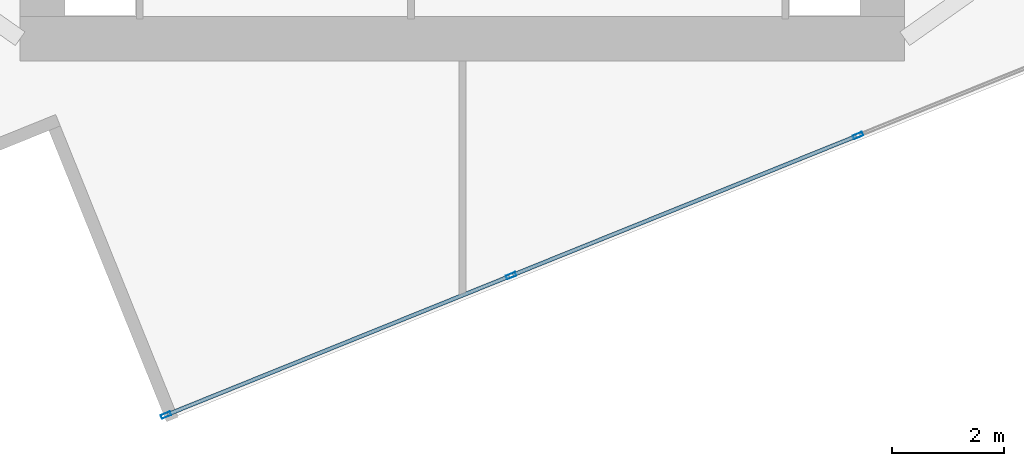
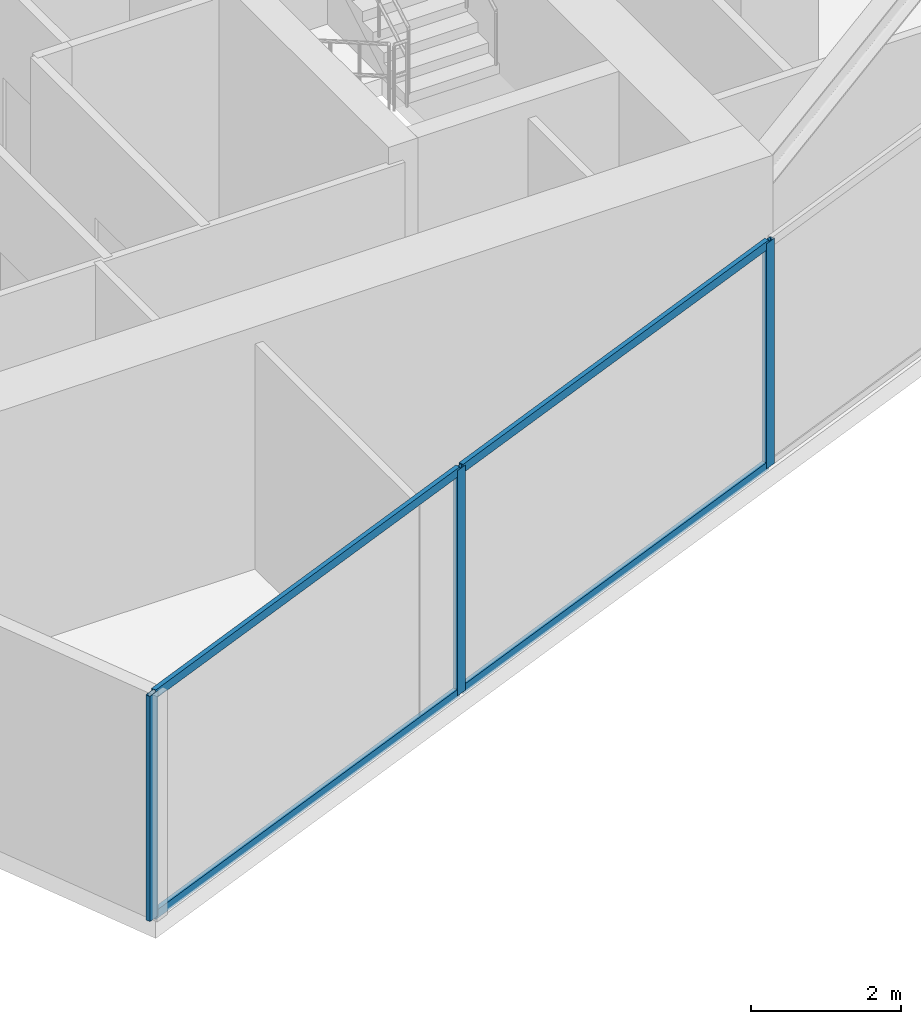
# One storey, part 3 of 21: 7 members, 1 element without a shape of its own.
"""IFC4 building model written with IfcOpenShell, lengths in metres."""

from ifc_helpers import new_model, si_unit, direction, frame, origin, origin_2d, place, context, subcontext, project, spatial, hollow_rectangle, extrude, source, transform, mapped, material, material_profile, profile_set, type_object, type_shapes, element, aggregate, save


model = new_model("IFC4")

# Units and contexts
model_context = context("Model", 3, precision=1e-05, world=origin(), true_north=direction((0.0, 1.0)))
body_context = subcontext(model_context, "Body", "Model", "MODEL_VIEW")
ifc_project = project(units=[si_unit("LENGTHUNIT", "METRE"), si_unit("AREAUNIT", "SQUARE_METRE"), si_unit("VOLUMEUNIT", "CUBIC_METRE"), si_unit("PLANEANGLEUNIT", "RADIAN"), si_unit("MASSUNIT", "GRAM", prefix="KILO")], contexts=[model_context])

# Site, building, storey
site_placement = place(None, origin())
site = spatial("IfcSite", under=ifc_project, at=site_placement, CompositionType="ELEMENT")
building_placement = place(site_placement, origin())
building = spatial("IfcBuilding", under=site, at=building_placement, Name="Krantzveldt Concourse Tower", CompositionType="ELEMENT")
storey_placement = place(building_placement, frame((0.0, 0.0, 323.75)))
storey = spatial("IfcBuildingStorey", under=building, at=storey_placement, Name="L79", CompositionType="ELEMENT", Elevation=323.75)

# Curtain wall, members
ifc_material = material(Name="Anodised aluminium 6063-T6", Category="aluminium")
curtain_wall_type = type_object("IfcCurtainWallType", Name="CW4", PredefinedType="USERDEFINED", material=ifc_material)
curtain_wall_placement = place(storey_placement, origin())
curtain_wall = element("IfcCurtainWall", 1, at=curtain_wall_placement, inside=storey, type_object=curtain_wall_type, Name="CW-L79-F07", ObjectType="UNITISED CURTAIN WALL", PredefinedType="USERDEFINED")
ifc_material_profile_1 = material_profile(ifc_material, hollow_rectangle(XDim=0.070068359375, YDim=0.179931640625, WallThickness=0.0048828125, at=origin_2d()), Name="Anodised aluminium 6063-T6", Category="aluminium")
ifc_profile_set_1 = profile_set([ifc_material_profile_1], Name="Anodised aluminium 6063-T6 - ALU-MULL 180x70x5")
member_type_1 = type_object("IfcMemberType", Name="CW-MUL-180", PredefinedType="MULLION", material=ifc_profile_set_1)
shared_shape_1 = source(origin(), body_context, "Body", "SweptSolid", [
    extrude(hollow_rectangle(XDim=0.070068359375, YDim=0.179931640625, WallThickness=0.0048828125, at=origin_2d()), origin(), (0.0, 0.0, 1.0), 3.669921875),
])
type_shapes(member_type_1, [shared_shape_1])
member_1_placement = place(storey_placement, frame((30.69189453125, 4.160400390625, 0.0), z_axis=(0.0, 0.0, 1.0), x_axis=(-0.374606664198, 0.927183825969, 0.0)))
member_1 = element("IfcMember", 2, at=member_1_placement, type_object=member_type_1, Name="CW-Z56 mullion 1", PredefinedType="MULLION", context=body_context, shape_type="MappedRepresentation", body=[
    mapped(shared_shape_1, transform((0.0, 0.0, 0.0), x_axis=(1.0, 0.0, 0.0), y_axis=(0.0, 1.0, 0.0), z_axis=(0.0, 0.0, 1.0), scale=1.0)),
])
member_2_placement = place(storey_placement, frame((36.87158203125, 6.656982421875, 0.0), z_axis=(0.0, 0.0, 1.0), x_axis=(-0.374606664198, 0.927183825969, 0.0)))
member_2 = element("IfcMember", 3, at=member_2_placement, type_object=member_type_1, Name="CW-Z56 mullion 2", PredefinedType="MULLION", context=body_context, shape_type="MappedRepresentation", body=[
    mapped(shared_shape_1, transform((0.0, 0.0, 0.0), x_axis=(1.0, 0.0, 0.0), y_axis=(0.0, 1.0, 0.0), z_axis=(0.0, 0.0, 1.0), scale=1.0)),
])
member_3_placement = place(storey_placement, frame((43.083740234375, 9.1669921875, 0.0), z_axis=(0.0, 0.0, 1.0), x_axis=(-0.374606664198, 0.927183825969, 0.0)))
member_3 = element("IfcMember", 4, at=member_3_placement, type_object=member_type_1, Name="CW-Z56 mullion 3", PredefinedType="MULLION", context=body_context, shape_type="MappedRepresentation", body=[
    mapped(shared_shape_1, transform((0.0, 0.0, 0.0), x_axis=(1.0, 0.0, 0.0), y_axis=(0.0, 1.0, 0.0), z_axis=(0.0, 0.0, 1.0), scale=1.0)),
])
ifc_material_profile_2 = material_profile(ifc_material, hollow_rectangle(XDim=0.070068359375, YDim=0.139892578125, WallThickness=0.0048828125, at=origin_2d()), Name="Anodised aluminium 6063-T6", Category="aluminium")
ifc_profile_set_2 = profile_set([ifc_material_profile_2], Name="Anodised aluminium 6063-T6 - ALU-TRAN 140x70x5")
member_type_2 = type_object("IfcMemberType", Name="CW-TRN-150", PredefinedType="USERDEFINED", material=ifc_profile_set_2)
shared_shape_2 = source(origin(), body_context, "Body", "SweptSolid", [
    extrude(hollow_rectangle(XDim=0.070068359375, YDim=0.139892578125, WallThickness=0.0048828125, at=origin_2d()), origin(), (0.0, 0.0, 1.0), 6.594970703125),
])
member_4_placement = place(storey_placement, frame((30.724365234375, 4.17333984375, 0.034912109375), z_axis=(0.927174093338, 0.374630752399, 0.0), x_axis=(-0.374630752399, 0.927174093338, 0.0)))
member_4 = element("IfcMember", 5, at=member_4_placement, type_object=member_type_2, Name="CW-Z56 transom 1.1", ObjectType="TRANSOM", PredefinedType="USERDEFINED", context=body_context, shape_type="MappedRepresentation", body=[
    mapped(shared_shape_2, transform((0.0, 0.0, 0.0), x_axis=(1.0, 0.0, 0.0), y_axis=(0.0, 1.0, 0.0), z_axis=(0.0, 0.0, 1.0), scale=1.0)),
])
member_5_placement = place(storey_placement, frame((30.724365234375, 4.17333984375, 3.635009765625), z_axis=(0.927174093338, 0.374630752399, 0.0), x_axis=(-0.374630752399, 0.927174093338, 0.0)))
member_5 = element("IfcMember", 6, at=member_5_placement, type_object=member_type_2, Name="CW-Z56 transom 1.2", ObjectType="TRANSOM", PredefinedType="USERDEFINED", context=body_context, shape_type="MappedRepresentation", body=[
    mapped(shared_shape_2, transform((0.0, 0.0, 0.0), x_axis=(1.0, 0.0, 0.0), y_axis=(0.0, 1.0, 0.0), z_axis=(0.0, 0.0, 1.0), scale=1.0)),
])
shared_shape_3 = source(origin(), body_context, "Body", "SweptSolid", [
    extrude(hollow_rectangle(XDim=0.070068359375, YDim=0.139892578125, WallThickness=0.0048828125, at=origin_2d()), origin(), (0.0, 0.0, 1.0), 6.6298828125),
])
type_shapes(member_type_2, [shared_shape_2, shared_shape_3])
member_6_placement = place(storey_placement, frame((36.904052734375, 6.670166015625, 0.034912109375), z_axis=(0.92718355196, 0.374607342392, 0.0), x_axis=(-0.374607342392, 0.92718355196, 0.0)))
member_6 = element("IfcMember", 7, at=member_6_placement, type_object=member_type_2, Name="CW-Z56 transom 2.1", ObjectType="TRANSOM", PredefinedType="USERDEFINED", context=body_context, shape_type="MappedRepresentation", body=[
    mapped(shared_shape_3, transform((0.0, 0.0, 0.0), x_axis=(1.0, 0.0, 0.0), y_axis=(0.0, 1.0, 0.0), z_axis=(0.0, 0.0, 1.0), scale=1.0)),
])
member_7_placement = place(storey_placement, frame((36.904052734375, 6.670166015625, 3.635009765625), z_axis=(0.92718355196, 0.374607342392, 0.0), x_axis=(-0.374607342392, 0.92718355196, 0.0)))
member_7 = element("IfcMember", 8, at=member_7_placement, type_object=member_type_2, Name="CW-Z56 transom 2.2", ObjectType="TRANSOM", PredefinedType="USERDEFINED", context=body_context, shape_type="MappedRepresentation", body=[
    mapped(shared_shape_3, transform((0.0, 0.0, 0.0), x_axis=(1.0, 0.0, 0.0), y_axis=(0.0, 1.0, 0.0), z_axis=(0.0, 0.0, 1.0), scale=1.0)),
])
aggregate(curtain_wall, [member_1, member_2, member_3, member_4, member_5, member_6, member_7])

save(model, "model.ifc")
